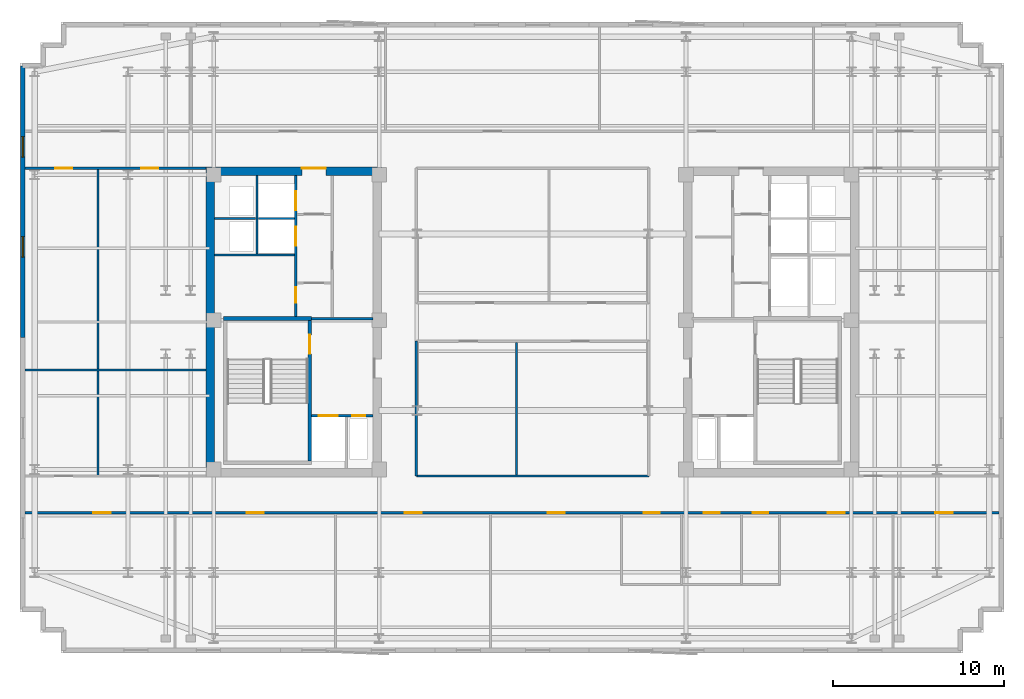
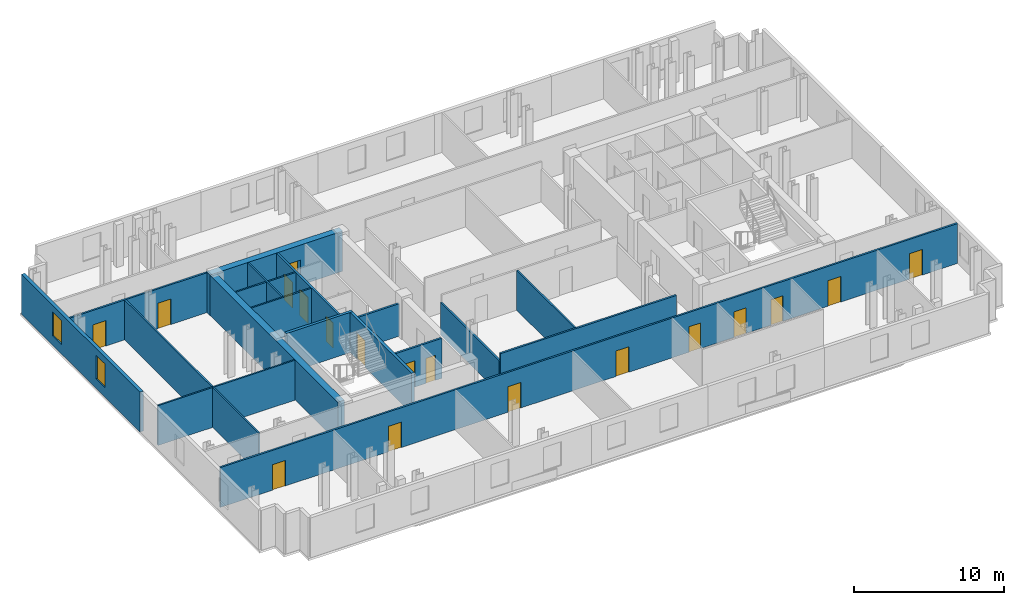
# One storey, part 4 of 9: 19 walls, 18 doors, 2 windows, 20 openings.
"""IFC4 building model written with IfcOpenShell, lengths in metres."""

import ifcopenshell
import ifcopenshell.guid

model = None  # the IFC model being written
_history = None  # IfcOwnerHistory: only IFC2X3 demands one
_inside = {}  # id of a spatial element -> (the spatial element, [elements in it])
_under = {}  # id of a project, library or spatial element -> (it, [spatial elements below it])
_declared = {}  # id of a project -> (the project, [libraries it declares])
_typed = {}  # id of a type object -> (the type object, [elements of that type])
_made_of = {}  # id of a material, layer set ... -> (it, [elements and type objects made of it])


def new_model(schema):
    """Start an empty IFC model of exactly this schema.

    Asked for "IFC4X3", IfcOpenShell would pick the latest addendum, in which some entities
    have other attributes; the version numbers below select the first issue.
    IFC2X3 requires an IfcOwnerHistory on every rooted entity: one is made here for all.
    """
    global model, _history
    if schema == "IFC4X3":
        model = ifcopenshell.file(schema_version=(4, 3, 0, 0))
    else:
        model = ifcopenshell.file(schema=schema)
    _inside.clear()
    _under.clear()
    _declared.clear()
    _typed.clear()
    _made_of.clear()
    _history = None
    if model.schema == "IFC2X3":
        org = make("IfcOrganization", Name="unknown")
        user = make(
            "IfcPersonAndOrganization",
            ThePerson=make("IfcPerson", FamilyName="unknown"),
            TheOrganization=org,
        )
        app = make(
            "IfcApplication",
            ApplicationDeveloper=org,
            Version="unknown",
            ApplicationFullName="unknown",
            ApplicationIdentifier="unknown",
        )
        _history = make(
            "IfcOwnerHistory",
            OwningUser=user,
            OwningApplication=app,
            ChangeAction="ADDED",
            CreationDate=0,
        )
    return model


def make(cls, **values):
    """One entity of the class cls with the attributes given. An attribute that is None is left unset."""
    return model.create_entity(
        cls, **{name: value for name, value in values.items() if value is not None}
    )


def rooted(cls, **values):
    """An entity with a GlobalId (a new one), such as an element, a storey or a relation."""
    return make(cls, GlobalId=ifcopenshell.guid.new(), OwnerHistory=_history, **values)


def si_unit(unit_type, name, prefix=None):
    """IfcSIUnit, for example si_unit("LENGTHUNIT", "METRE", prefix="MILLI")."""
    return make("IfcSIUnit", UnitType=unit_type, Prefix=prefix, Name=name)


def assignment(units):
    """IfcUnitAssignment: the units of a project."""
    return None if units is None else make("IfcUnitAssignment", Units=units)


def point(xyz):
    """IfcCartesianPoint."""
    return None if xyz is None else make("IfcCartesianPoint", Coordinates=xyz)


def direction(xyz):
    """IfcDirection."""
    return None if xyz is None else make("IfcDirection", DirectionRatios=xyz)


def frame(location, z_axis=None, x_axis=None):
    """IfcAxis2Placement3D, a coordinate frame: its origin and axes. An axis left out is left unset."""
    return make(
        "IfcAxis2Placement3D",
        Location=point(location),
        Axis=direction(z_axis),
        RefDirection=direction(x_axis),
    )


def frame_2d(location, x_axis=None):
    """IfcAxis2Placement2D, a coordinate frame in the plane: its origin and x axis."""
    return make(
        "IfcAxis2Placement2D", Location=point(location), RefDirection=direction(x_axis)
    )


def origin():
    """The frame at (0, 0, 0) with its axes left unset."""
    return frame((0.0, 0.0, 0.0))


def place(relative_to, where):
    """IfcLocalPlacement: puts the frame where relative to a parent placement (None: the world)."""
    return make(
        "IfcLocalPlacement", PlacementRelTo=relative_to, RelativePlacement=where
    )


def context(
    kind, dimensions, precision=None, world=None, true_north=None, identifier=None
):
    """IfcGeometricRepresentationContext, for example the 3D "Model" context."""
    return make(
        "IfcGeometricRepresentationContext",
        ContextIdentifier=identifier,
        ContextType=kind,
        CoordinateSpaceDimension=dimensions,
        Precision=precision,
        WorldCoordinateSystem=world,
        TrueNorth=true_north,
    )


def subcontext(parent, identifier, kind, view, scale=None):
    """IfcGeometricRepresentationSubContext, for example "Body" below "Model"."""
    return make(
        "IfcGeometricRepresentationSubContext",
        ContextIdentifier=identifier,
        ContextType=kind,
        ParentContext=parent,
        TargetScale=scale,
        TargetView=view,
    )


def project(units=None, contexts=None):
    """IfcProject with its units and contexts."""
    return rooted(
        "IfcProject",
        Name="project",
        RepresentationContexts=contexts,
        UnitsInContext=assignment(units),
    )


def spatial(cls, under=None, at=None, **own):
    """A site, building, storey or space (cls), placed at a placement, below another one or the project."""
    s = rooted(cls, ObjectPlacement=at, **own)
    if under is not None:
        _under.setdefault(under.id(), (under, []))[1].append(s)
    return s


def profile(cls, at=None, kind="AREA", **sizes):
    """A parametric profile (cls). Its sizes go by their IFC names, for example OverallWidth=200.0."""
    return make(cls, ProfileType=kind, Position=at, **sizes)


def rectangle(**sizes):
    """IfcRectangleProfileDef."""
    return profile("IfcRectangleProfileDef", **sizes)


def extrude(swept, where, along, depth):
    """IfcExtrudedAreaSolid: the profile swept, set in the frame where, extruded along a direction by depth."""
    return make(
        "IfcExtrudedAreaSolid",
        SweptArea=swept,
        Position=where,
        ExtrudedDirection=direction(along),
        Depth=depth,
    )


def shape(context_of_items, identifier, shape_type, items):
    """IfcShapeRepresentation: the items that make up one representation, for example the "Body"."""
    return make(
        "IfcShapeRepresentation",
        ContextOfItems=context_of_items,
        RepresentationIdentifier=identifier,
        RepresentationType=shape_type,
        Items=items,
    )


def material(Name=None, Category=None):
    """IfcMaterial."""
    return make("IfcMaterial", Name=Name, Category=Category)


def layer(
    of_material, thickness, ventilated=None, Name=None, Category=None, Priority=None
):
    """IfcMaterialLayer: one layer of a wall or slab, of a material (None: an air gap)."""
    return make(
        "IfcMaterialLayer",
        Material=of_material,
        LayerThickness=thickness,
        IsVentilated=ventilated,
        Name=Name,
        Category=Category,
        Priority=Priority,
    )


def layer_set(layers, Name=None):
    """IfcMaterialLayerSet."""
    return make("IfcMaterialLayerSet", MaterialLayers=layers, LayerSetName=Name)


def made_of(thing, what):
    """Note that an element or type object is made of a material, layer set ...; save() writes the relation."""
    if what is not None:
        _made_of.setdefault(what.id(), (what, []))[1].append(thing)
    return thing


def type_object(cls, material=None, **own):
    """A type object (cls), such as IfcWallType, which elements share."""
    return made_of(rooted(cls, **own), material)


def element(
    cls,
    number,
    at=None,
    inside=None,
    cuts=None,
    type_object=None,
    material=None,
    context=None,
    identifier="Body",
    shape_type=None,
    held_by="IfcProductDefinitionShape",
    body=None,
    shapes=None,
    **own,
):
    """One element of the class cls, such as IfcWall. Its Tag is "e" and its number.

    at: its placement. inside: the storey or other place that contains it. cuts: it is an
    opening in that element (IfcRelVoidsElement). A single representation is given by context,
    identifier, shape_type and body (its items); several are given by shapes. held_by: the class
    of the entity that holds the representations. save() writes the other relations.
    """
    e = rooted(cls, Tag="e%d" % number, ObjectPlacement=at, **own)
    if body is not None:
        shapes = [shape(context, identifier, shape_type, body)]
    if shapes is not None:
        e.Representation = make(held_by, Representations=shapes)
    if inside is not None:
        _inside.setdefault(inside.id(), (inside, []))[1].append(e)
    if cuts is not None:
        rooted(
            "IfcRelVoidsElement", RelatingBuildingElement=cuts, RelatedOpeningElement=e
        )
    if type_object is not None:
        _typed.setdefault(type_object.id(), (type_object, []))[1].append(e)
    return made_of(e, material)


def fill(opening, filler):
    """IfcRelFillsElement: the door or window that sits in an opening."""
    return rooted(
        "IfcRelFillsElement",
        RelatingOpeningElement=opening,
        RelatedBuildingElement=filler,
    )


def aggregate(whole, parts):
    """IfcRelAggregates: a whole, such as a stair, and the parts it consists of."""
    return rooted("IfcRelAggregates", RelatingObject=whole, RelatedObjects=parts)


def save(model, path):
    """Write the relations noted so far, then the file.

    IfcRelAggregates (storeys below a building ...), IfcRelContainedInSpatialStructure (elements
    in a storey), IfcRelDefinesByType, IfcRelAssociatesMaterial and IfcRelDeclares: one each for
    every whole, place, type object, material and project.
    """
    for whole, parts in _under.values():
        aggregate(whole, parts)
    for where, things in _inside.values():
        rooted(
            "IfcRelContainedInSpatialStructure",
            RelatedElements=things,
            RelatingStructure=where,
        )
    for kind, things in _typed.values():
        rooted("IfcRelDefinesByType", RelatedObjects=things, RelatingType=kind)
    for what, things in _made_of.values():
        rooted("IfcRelAssociatesMaterial", RelatedObjects=things, RelatingMaterial=what)
    for by, libraries in _declared.values():
        rooted("IfcRelDeclares", RelatingContext=by, RelatedDefinitions=libraries)
    model.write(path)


model = new_model("IFC4")

# Units and contexts
model_context = context("Model", 3, precision=1e-05, world=origin(), true_north=direction((0.0, 1.0)))
body_context = subcontext(model_context, "Body", "Model", "MODEL_VIEW")
ifc_project = project(units=[si_unit("LENGTHUNIT", "METRE"), si_unit("AREAUNIT", "SQUARE_METRE"), si_unit("VOLUMEUNIT", "CUBIC_METRE"), si_unit("PLANEANGLEUNIT", "RADIAN"), si_unit("MASSUNIT", "GRAM", prefix="KILO")], contexts=[model_context])

# Site, building, storey
site_placement = place(None, origin())
site = spatial("IfcSite", under=ifc_project, at=site_placement, CompositionType="ELEMENT")
building_placement = place(site_placement, origin())
building = spatial("IfcBuilding", under=site, at=building_placement, Name="Velakula Bourse", CompositionType="ELEMENT")
storey_placement = place(building_placement, frame((0.0, 0.0, 222.300048828125)))
storey = spatial("IfcBuildingStorey", under=building, at=storey_placement, Name="L60", CompositionType="ELEMENT", Elevation=222.300048828125)

# Wall, opening, door
ifc_material_1 = material(Name="Concrete M50 (fck 50 MPa)", Category="concrete")
ifc_layer_1 = layer(ifc_material_1, 0.2099609375, Name="Concrete M50 (fck 50 MPa)", Category="concrete")
ifc_layer_set_1 = layer_set([ifc_layer_1], Name="Concrete M50 (fck 50 MPa)")
wall_type_1 = type_object("IfcWallType", Name="WL-CORE-210", PredefinedType="SHEAR", material=ifc_layer_set_1)
wall_1_placement = place(storey_placement, frame((-12.9951171875, -8.10009765625, 0.0), z_axis=(0.0, 0.0, 1.0), x_axis=(0.0, 1.0, 0.0)))
wall_1 = element("IfcWall", 1, at=wall_1_placement, inside=storey, type_object=wall_type_1, Name="L60 Core W Stairwell Shear Wall IN", PredefinedType="SHEAR", context=body_context, shape_type="SweptSolid", body=[
    extrude(rectangle(XDim=8.2001953125, YDim=0.2099609375, at=frame_2d((4.10009765625, 0.0))), origin(), (0.0, 0.0, 1.0), 3.27001953125),
])
opening_1_placement = place(wall_1_placement, frame((6.25, 0.0, 0.0)))
opening_1 = element("IfcOpeningElement", 2, at=opening_1_placement, cuts=wall_1, Name="Opening D-STW1", PredefinedType="OPENING", context=body_context, shape_type="SweptSolid", body=[
    extrude(rectangle(XDim=1.10009765625, YDim=2.14990234375, at=frame_2d((0.550048828125, 1.074951171875))), frame((0.0, 0.114990234375, 0.0), z_axis=(0.0, -1.0, 0.0), x_axis=(1.0, 0.0, 0.0)), (0.0, 0.0, 1.0), 0.22998046875),
])
ifc_material_2 = material(Name="Galvanised painted hollow steel fire door", Category="steel")
door_type_1 = type_object("IfcDoorType", Name="DR-FD120-1100x2150", OperationType="NOTDEFINED", PredefinedType="DOOR", material=ifc_material_2)
door_1_placement = place(opening_1_placement, origin())
door_1 = element("IfcDoor", 3, at=door_1_placement, inside=storey, type_object=door_type_1, Name="L60 Stair ST-W1 Fire Door", OperationType="SINGLE_SWING_LEFT", OverallHeight=2.14990234375, OverallWidth=1.10009765625, PredefinedType="DOOR", context=body_context, shape_type="SweptSolid", body=[
    extrude(rectangle(XDim=1.10009765625, YDim=2.14990234375, at=frame_2d((0.550048828125, 1.074951171875))), frame((0.0, 0.02490234375, 0.0), z_axis=(0.0, -1.0, 0.0), x_axis=(1.0, 0.0, 0.0)), (0.0, 0.0, 1.0), 0.050048828125),
])
fill(opening_1, door_1)

# Wall
wall_2_placement = place(storey_placement, frame((-12.889892578125, 0.205078125, 0.0), z_axis=(0.0, 0.0, 1.0), x_axis=(-1.0, 0.0, 0.0)))
element("IfcWall", 4, at=wall_2_placement, inside=storey, type_object=wall_type_1, Name="L60 Core W Stairwell Shear Wall N", PredefinedType="SHEAR", context=body_context, shape_type="SweptSolid", body=[
    extrude(rectangle(XDim=5.14013671875, YDim=0.2099609375, at=frame_2d((2.570068359375, 0.0))), origin(), (0.0, 0.0, 1.0), 3.27001953125),
])

# Wall, opening, door
ifc_layer_2 = layer(ifc_material_1, 0.5, Name="Concrete M50 (fck 50 MPa)", Category="concrete")
ifc_layer_set_2 = layer_set([ifc_layer_2], Name="Concrete M50 (fck 50 MPa)")
wall_type_2 = type_object("IfcWallType", Name="WL-CORE-500", PredefinedType="SHEAR", material=ifc_layer_set_2)
wall_3_placement = place(storey_placement, frame((-19.050048828125, 8.800048828125, 0.0), z_axis=(0.0, 0.0, 1.0), x_axis=(1.0, 0.0, 0.0)))
wall_3 = element("IfcWall", 5, at=wall_3_placement, inside=storey, type_object=wall_type_2, Name="L60 Core W Shear Wall N", PredefinedType="SHEAR", context=body_context, shape_type="SweptSolid", body=[
    extrude(rectangle(XDim=10.25, YDim=0.5, at=frame_2d((5.125, 0.0))), origin(), (0.0, 0.0, 1.0), 3.27001953125),
])
opening_2_placement = place(wall_3_placement, frame((5.60009765625, 0.0, 0.0)))
opening_2 = element("IfcOpeningElement", 6, at=opening_2_placement, cuts=wall_3, Name="Opening D-LLW", PredefinedType="OPENING", context=body_context, shape_type="SweptSolid", body=[
    extrude(rectangle(XDim=1.39990234375, YDim=2.050048828125, at=frame_2d((0.699951171875, 1.02490234375))), frame((0.0, 0.260009765625, 0.0), z_axis=(0.0, -1.0, 0.0), x_axis=(1.0, 0.0, 0.0)), (0.0, 0.0, 1.0), 0.52001953125),
])
ifc_material_3 = material(Name="Fire-rated hardwood flush architectural door", Category="wood")
door_type_2 = type_object("IfcDoorType", Name="DR-DBL-FD60-1400", OperationType="DOUBLE_DOOR_SINGLE_SWING", PredefinedType="DOOR", material=ifc_material_3)
door_2_placement = place(opening_2_placement, origin())
door_2 = element("IfcDoor", 7, at=door_2_placement, inside=storey, type_object=door_type_2, Name="L60 Core W Lift Lobby Corridor Double Door", OperationType="DOUBLE_DOOR_SINGLE_SWING", OverallHeight=2.050048828125, OverallWidth=1.39990234375, PredefinedType="DOOR", context=body_context, shape_type="SweptSolid", body=[
    extrude(rectangle(XDim=1.39990234375, YDim=2.050048828125, at=frame_2d((0.699951171875, 1.02490234375))), frame((0.0, 0.19482421875, 0.0), z_axis=(0.0, -1.0, 0.0), x_axis=(1.0, 0.0, 0.0)), (0.0, 0.0, 1.0), 0.050048828125),
])
fill(opening_2, door_2)

# Wall
wall_4_placement = place(storey_placement, frame((-18.800048828125, -8.550048828125, 0.0), z_axis=(0.0, 0.0, 1.0), x_axis=(0.0, 1.0, 0.0)))
element("IfcWall", 8, at=wall_4_placement, inside=storey, type_object=wall_type_2, Name="L60 Core W Shear Wall W", PredefinedType="SHEAR", context=body_context, shape_type="SweptSolid", body=[
    extrude(rectangle(XDim=17.10009765625, YDim=0.5, at=frame_2d((8.550048828125, 0.0))), origin(), (0.0, 0.0, 1.0), 3.27001953125),
])

# Wall, openings, windows
ifc_material_4 = material(Name="Buff kilned clay facing brick masonry", Category="masonry")
ifc_layer_3 = layer(ifc_material_4, 0.260009765625, Name="Buff kilned clay facing brick masonry", Category="masonry")
ifc_layer_set_3 = layer_set([ifc_layer_3], Name="Buff kilned clay facing brick masonry")
wall_type_3 = type_object("IfcWallType", Name="WL-EXT-BRK-260", PredefinedType="STANDARD", material=ifc_layer_set_3)
wall_5_placement = place(storey_placement, frame((-29.75, -0.89990234375, 0.0), z_axis=(0.0, 0.0, 1.0), x_axis=(0.0, 1.0, 0.0)))
wall_5 = element("IfcWall", 9, at=wall_5_placement, inside=storey, type_object=wall_type_3, Name="L60 W Brick End Wall W2", PredefinedType="STANDARD", context=body_context, shape_type="SweptSolid", body=[
    extrude(rectangle(XDim=15.849853515625, YDim=0.260009765625, at=frame_2d((7.9248046875, 0.0))), origin(), (0.0, 0.0, 1.0), 3.25),
])
opening_3_placement = place(wall_5_placement, frame((4.683349609375, 0.0, 0.760009765625)))
opening_3 = element("IfcOpeningElement", 10, at=opening_3_placement, cuts=wall_5, Name="Opening W-04", PredefinedType="OPENING", context=body_context, shape_type="SweptSolid", body=[
    extrude(rectangle(XDim=1.199951171875, YDim=1.949951171875, at=frame_2d((0.60009765625, 0.97509765625))), frame((0.0, 0.139892578125, 0.0), z_axis=(0.0, -1.0, 0.0), x_axis=(1.0, 0.0, 0.0)), (0.0, 0.0, 1.0), 0.280029296875),
])
opening_4_placement = place(wall_5_placement, frame((10.5166015625, 0.0, 0.760009765625)))
opening_4 = element("IfcOpeningElement", 11, at=opening_4_placement, cuts=wall_5, Name="Opening W-04", PredefinedType="OPENING", context=body_context, shape_type="SweptSolid", body=[
    extrude(rectangle(XDim=1.199951171875, YDim=1.949951171875, at=frame_2d((0.60009765625, 0.97509765625))), frame((0.0, 0.139892578125, 0.0), z_axis=(0.0, -1.0, 0.0), x_axis=(1.0, 0.0, 0.0)), (0.0, 0.0, 1.0), 0.280029296875),
])
ifc_material_5 = material(Name="Double-glazed solar-control Low-E glass", Category="glass")
window_type = type_object("IfcWindowType", Name="WIN-TWR-1200x2100", PartitioningType="SINGLE_PANEL", PredefinedType="WINDOW", material=ifc_material_5)
window_1_placement = place(opening_3_placement, origin())
window_1 = element("IfcWindow", 12, at=window_1_placement, inside=storey, type_object=window_type, Name="L60 Deep-Set Recessed Window 1", OverallHeight=1.949951171875, OverallWidth=1.199951171875, PartitioningType="SINGLE_PANEL", PredefinedType="WINDOW", context=body_context, shape_type="SweptSolid", body=[
    extrude(rectangle(XDim=1.199951171875, YDim=1.949951171875, at=frame_2d((0.60009765625, 0.97509765625))), frame((0.0, 0.030029296875, 0.0), z_axis=(0.0, -1.0, 0.0), x_axis=(1.0, 0.0, 0.0)), (0.0, 0.0, 1.0), 0.06005859375),
])
fill(opening_3, window_1)
window_2_placement = place(opening_4_placement, origin())
window_2 = element("IfcWindow", 13, at=window_2_placement, inside=storey, type_object=window_type, Name="L60 Deep-Set Recessed Window 2", OverallHeight=1.949951171875, OverallWidth=1.199951171875, PartitioningType="SINGLE_PANEL", PredefinedType="WINDOW", context=body_context, shape_type="SweptSolid", body=[
    extrude(rectangle(XDim=1.199951171875, YDim=1.949951171875, at=frame_2d((0.60009765625, 0.97509765625))), frame((0.0, 0.030029296875, 0.0), z_axis=(0.0, -1.0, 0.0), x_axis=(1.0, 0.0, 0.0)), (0.0, 0.0, 1.0), 0.06005859375),
])
fill(opening_4, window_2)

# Walls
ifc_material_6 = material(Name="Fire-rated double-layer gypsum drywall partition", Category="gypsum")
ifc_layer_4 = layer(ifc_material_6, 0.1201171875, Name="Fire-rated double-layer gypsum drywall partition", Category="gypsum")
ifc_layer_set_4 = layer_set([ifc_layer_4], Name="Fire-rated double-layer gypsum drywall partition")
wall_type_4 = type_object("IfcWallType", Name="WL-PART-120", PredefinedType="STANDARD", material=ifc_layer_set_4)
wall_6_placement = place(storey_placement, frame((-18.550048828125, 3.919921875, 0.0), z_axis=(0.0, 0.0, 1.0), x_axis=(1.0, 0.0, 0.0)))
element("IfcWall", 14, at=wall_6_placement, inside=storey, type_object=wall_type_4, Name="L60 Interior Partition WL-CRW-L60-HI-S", PredefinedType="STANDARD", context=body_context, shape_type="SweptSolid", body=[
    extrude(rectangle(XDim=4.650146484375, YDim=0.1201171875, at=frame_2d((2.3251953125, 0.0))), origin(), (0.0, 0.0, 1.0), 3.25),
])
wall_7_placement = place(storey_placement, frame((-18.550048828125, 6.030029296875, 0.0), z_axis=(0.0, 0.0, 1.0), x_axis=(1.0, 0.0, 0.0)))
element("IfcWall", 15, at=wall_7_placement, inside=storey, type_object=wall_type_4, Name="L60 Interior Partition WL-CRW-L60-RIS-MID", PredefinedType="STANDARD", context=body_context, shape_type="SweptSolid", body=[
    extrude(rectangle(XDim=2.400146484375, YDim=0.1201171875, at=frame_2d((1.2001953125, 0.0))), origin(), (0.0, 0.0, 1.0), 3.25),
])
wall_8_placement = place(storey_placement, frame((-16.074951171875, 3.97998046875, 0.0), z_axis=(0.0, 0.0, 1.0), x_axis=(0.0, 1.0, 0.0)))
element("IfcWall", 16, at=wall_8_placement, inside=storey, type_object=wall_type_4, Name="L60 Interior Partition WL-CRW-L60-RIS-F", PredefinedType="STANDARD", context=body_context, shape_type="SweptSolid", body=[
    extrude(rectangle(XDim=4.570068359375, YDim=0.1201171875, at=frame_2d((2.28515625, 0.0))), origin(), (0.0, 0.0, 1.0), 3.25),
])
wall_9_placement = place(storey_placement, frame((-16.0, 6.030029296875, 0.0), z_axis=(0.0, 0.0, 1.0), x_axis=(1.0, 0.0, 0.0)))
element("IfcWall", 17, at=wall_9_placement, inside=storey, type_object=wall_type_4, Name="L60 Interior Partition WL-CRW-L60-HI-DIV", PredefinedType="STANDARD", context=body_context, shape_type="SweptSolid", body=[
    extrude(rectangle(XDim=2.10009765625, YDim=0.1201171875, at=frame_2d((1.050048828125, 0.0))), origin(), (0.0, 0.0, 1.0), 3.25),
])
wall_10_placement = place(storey_placement, frame((-29.6201171875, -2.800048828125, 0.0), z_axis=(0.0, 0.0, 1.0), x_axis=(1.0, 0.0, 0.0)))
element("IfcWall", 18, at=wall_10_placement, inside=storey, type_object=wall_type_4, Name="L60 Interior Partition WL-INT-L60-W-H", PredefinedType="STANDARD", context=body_context, shape_type="SweptSolid", body=[
    extrude(rectangle(XDim=10.570068359375, YDim=0.1201171875, at=frame_2d((5.28515625, 0.0))), origin(), (0.0, 0.0, 1.0), 3.25),
])
wall_11_placement = place(storey_placement, frame((-25.35498046875, -8.97998046875, 0.0), z_axis=(0.0, 0.0, 1.0), x_axis=(0.0, 1.0, 0.0)))
element("IfcWall", 19, at=wall_11_placement, inside=storey, type_object=wall_type_4, Name="L60 Interior Partition WL-INT-L60-W-V1", PredefinedType="STANDARD", context=body_context, shape_type="SweptSolid", body=[
    extrude(rectangle(XDim=17.9599609375, YDim=0.1201171875, at=frame_2d((8.97998046875, 0.0))), origin(), (0.0, 0.0, 1.0), 3.25),
])

# Wall, openings, doors
ifc_layer_5 = layer(ifc_material_6, 0.139892578125, Name="Fire-rated double-layer gypsum drywall partition", Category="gypsum")
ifc_layer_set_5 = layer_set([ifc_layer_5], Name="Fire-rated double-layer gypsum drywall partition")
wall_type_5 = type_object("IfcWallType", Name="WL-PART-140", PredefinedType="STANDARD", material=ifc_layer_set_5)
wall_12_placement = place(storey_placement, frame((-29.6201171875, -11.1201171875, 0.0), z_axis=(0.0, 0.0, 1.0), x_axis=(1.0, 0.0, 0.0)))
wall_12 = element("IfcWall", 20, at=wall_12_placement, inside=storey, type_object=wall_type_5, Name="L60 Interior Partition WL-INT-L60-S-CORR", PredefinedType="STANDARD", context=body_context, shape_type="SweptSolid", body=[
    extrude(rectangle(XDim=56.840087890625, YDim=0.139892578125, at=frame_2d((28.419921875, 0.0))), origin(), (0.0, 0.0, 1.0), 3.25),
])
opening_5_placement = place(wall_12_placement, frame((36.110107421875, 0.0, 0.0)))
opening_5 = element("IfcOpeningElement", 21, at=opening_5_placement, cuts=wall_12, Name="Opening D-WT1", PredefinedType="OPENING", context=body_context, shape_type="SweptSolid", body=[
    extrude(rectangle(XDim=0.919921875, YDim=2.080078125, at=frame_2d((0.4599609375, 1.0400390625))), frame((0.0, 0.079833984375, 0.0), z_axis=(0.0, -1.0, 0.0), x_axis=(1.0, 0.0, 0.0)), (0.0, 0.0, 1.0), 0.159912109375),
])
opening_6_placement = place(wall_12_placement, frame((39.610107421875, 0.0, 0.0)))
opening_6 = element("IfcOpeningElement", 22, at=opening_6_placement, cuts=wall_12, Name="Opening D-WT1", PredefinedType="OPENING", context=body_context, shape_type="SweptSolid", body=[
    extrude(rectangle(XDim=0.919921875, YDim=2.080078125, at=frame_2d((0.4599609375, 1.0400390625))), frame((0.0, 0.079833984375, 0.0), z_axis=(0.0, -1.0, 0.0), x_axis=(1.0, 0.0, 0.0)), (0.0, 0.0, 1.0), 0.159912109375),
])
opening_7_placement = place(wall_12_placement, frame((42.4599609375, 0.0, 0.0)))
opening_7 = element("IfcOpeningElement", 23, at=opening_7_placement, cuts=wall_12, Name="Opening D-WC1", PredefinedType="OPENING", context=body_context, shape_type="SweptSolid", body=[
    extrude(rectangle(XDim=0.919921875, YDim=2.080078125, at=frame_2d((0.4599609375, 1.0400390625))), frame((0.0, 0.079833984375, 0.0), z_axis=(0.0, -1.0, 0.0), x_axis=(1.0, 0.0, 0.0)), (0.0, 0.0, 1.0), 0.159912109375),
])
opening_8_placement = place(wall_12_placement, frame((4.0009765625, 0.0, 0.0)))
opening_8 = element("IfcOpeningElement", 24, at=opening_8_placement, cuts=wall_12, Name="Opening D-OF1", PredefinedType="OPENING", context=body_context, shape_type="SweptSolid", body=[
    extrude(rectangle(XDim=1.0, YDim=2.080078125, at=frame_2d((0.5, 1.0400390625))), frame((0.0, 0.079833984375, 0.0), z_axis=(0.0, -1.0, 0.0), x_axis=(1.0, 0.0, 0.0)), (0.0, 0.0, 1.0), 0.159912109375),
])
opening_9_placement = place(wall_12_placement, frame((12.9423828125, 0.0, 0.0)))
opening_9 = element("IfcOpeningElement", 25, at=opening_9_placement, cuts=wall_12, Name="Opening D-OF1", PredefinedType="OPENING", context=body_context, shape_type="SweptSolid", body=[
    extrude(rectangle(XDim=1.0, YDim=2.080078125, at=frame_2d((0.5, 1.0400390625))), frame((0.0, 0.079833984375, 0.0), z_axis=(0.0, -1.0, 0.0), x_axis=(1.0, 0.0, 0.0)), (0.0, 0.0, 1.0), 0.159912109375),
])
opening_10_placement = place(wall_12_placement, frame((22.154052734375, 0.0, 0.0)))
opening_10 = element("IfcOpeningElement", 26, at=opening_10_placement, cuts=wall_12, Name="Opening D-OF1", PredefinedType="OPENING", context=body_context, shape_type="SweptSolid", body=[
    extrude(rectangle(XDim=1.0, YDim=2.080078125, at=frame_2d((0.5, 1.0400390625))), frame((0.0, 0.079833984375, 0.0), z_axis=(0.0, -1.0, 0.0), x_axis=(1.0, 0.0, 0.0)), (0.0, 0.0, 1.0), 0.159912109375),
])
opening_11_placement = place(wall_12_placement, frame((30.49658203125, 0.0, 0.0)))
opening_11 = element("IfcOpeningElement", 27, at=opening_11_placement, cuts=wall_12, Name="Opening D-OF1", PredefinedType="OPENING", context=body_context, shape_type="SweptSolid", body=[
    extrude(rectangle(XDim=1.0, YDim=2.080078125, at=frame_2d((0.5, 1.0400390625))), frame((0.0, 0.079833984375, 0.0), z_axis=(0.0, -1.0, 0.0), x_axis=(1.0, 0.0, 0.0)), (0.0, 0.0, 1.0), 0.159912109375),
])
opening_12_placement = place(wall_12_placement, frame((46.83740234375, 0.0, 0.0)))
opening_12 = element("IfcOpeningElement", 28, at=opening_12_placement, cuts=wall_12, Name="Opening D-OF1", PredefinedType="OPENING", context=body_context, shape_type="SweptSolid", body=[
    extrude(rectangle(XDim=1.0, YDim=2.080078125, at=frame_2d((0.5, 1.0400390625))), frame((0.0, 0.079833984375, 0.0), z_axis=(0.0, -1.0, 0.0), x_axis=(1.0, 0.0, 0.0)), (0.0, 0.0, 1.0), 0.159912109375),
])
opening_13_placement = place(wall_12_placement, frame((53.12158203125, 0.0, 0.0)))
opening_13 = element("IfcOpeningElement", 29, at=opening_13_placement, cuts=wall_12, Name="Opening D-OF1", PredefinedType="OPENING", context=body_context, shape_type="SweptSolid", body=[
    extrude(rectangle(XDim=1.0, YDim=2.080078125, at=frame_2d((0.5, 1.0400390625))), frame((0.0, 0.079833984375, 0.0), z_axis=(0.0, -1.0, 0.0), x_axis=(1.0, 0.0, 0.0)), (0.0, 0.0, 1.0), 0.159912109375),
])
door_type_3 = type_object("IfcDoorType", Name="DR-OFF-1000", OperationType="NOTDEFINED", PredefinedType="DOOR", material=ifc_material_3)
door_3_placement = place(opening_8_placement, origin())
door_3 = element("IfcDoor", 30, at=door_3_placement, inside=storey, type_object=door_type_3, Name="L60 Traders Bistro Restaurant Door", OperationType="SINGLE_SWING_LEFT", OverallHeight=2.080078125, OverallWidth=1.0, PredefinedType="DOOR", context=body_context, shape_type="SweptSolid", body=[
    extrude(rectangle(XDim=1.0, YDim=2.080078125, at=frame_2d((0.5, 1.0400390625))), frame((0.0, 0.02490234375, 0.0), z_axis=(0.0, -1.0, 0.0), x_axis=(1.0, 0.0, 0.0)), (0.0, 0.0, 1.0), 0.050048828125),
])
fill(opening_8, door_3)
door_4_placement = place(opening_9_placement, origin())
door_4 = element("IfcDoor", 31, at=door_4_placement, inside=storey, type_object=door_type_3, Name="L60 Margin Control Office Door", OperationType="SINGLE_SWING_RIGHT", OverallHeight=2.080078125, OverallWidth=1.0, PredefinedType="DOOR", context=body_context, shape_type="SweptSolid", body=[
    extrude(rectangle(XDim=1.0, YDim=2.080078125, at=frame_2d((0.5, 1.0400390625))), frame((0.0, 0.02490234375, 0.0), z_axis=(0.0, -1.0, 0.0), x_axis=(1.0, 0.0, 0.0)), (0.0, 0.0, 1.0), 0.050048828125),
])
fill(opening_9, door_4)
door_5_placement = place(opening_10_placement, origin())
door_5 = element("IfcDoor", 32, at=door_5_placement, inside=storey, type_object=door_type_3, Name="L60 Clearing Committee Room Door", OperationType="SINGLE_SWING_LEFT", OverallHeight=2.080078125, OverallWidth=1.0, PredefinedType="DOOR", context=body_context, shape_type="SweptSolid", body=[
    extrude(rectangle(XDim=1.0, YDim=2.080078125, at=frame_2d((0.5, 1.0400390625))), frame((0.0, 0.02490234375, 0.0), z_axis=(0.0, -1.0, 0.0), x_axis=(1.0, 0.0, 0.0)), (0.0, 0.0, 1.0), 0.050048828125),
])
fill(opening_10, door_5)
door_6_placement = place(opening_11_placement, origin())
door_6 = element("IfcDoor", 33, at=door_6_placement, inside=storey, type_object=door_type_3, Name="L60 Tea Room Kitchenette Door", OperationType="SINGLE_SWING_RIGHT", OverallHeight=2.080078125, OverallWidth=1.0, PredefinedType="DOOR", context=body_context, shape_type="SweptSolid", body=[
    extrude(rectangle(XDim=1.0, YDim=2.080078125, at=frame_2d((0.5, 1.0400390625))), frame((0.0, 0.02490234375, 0.0), z_axis=(0.0, -1.0, 0.0), x_axis=(1.0, 0.0, 0.0)), (0.0, 0.0, 1.0), 0.050048828125),
])
fill(opening_11, door_6)
door_7_placement = place(opening_12_placement, origin())
door_7 = element("IfcDoor", 34, at=door_7_placement, inside=storey, type_object=door_type_3, Name="L60 Market Data Feed Workspace Door", OperationType="SINGLE_SWING_LEFT", OverallHeight=2.080078125, OverallWidth=1.0, PredefinedType="DOOR", context=body_context, shape_type="SweptSolid", body=[
    extrude(rectangle(XDim=1.0, YDim=2.080078125, at=frame_2d((0.5, 1.0400390625))), frame((0.0, 0.02490234375, 0.0), z_axis=(0.0, -1.0, 0.0), x_axis=(1.0, 0.0, 0.0)), (0.0, 0.0, 1.0), 0.050048828125),
])
fill(opening_12, door_7)
door_8_placement = place(opening_13_placement, origin())
door_8 = element("IfcDoor", 35, at=door_8_placement, inside=storey, type_object=door_type_3, Name="L60 Bullion Assay Office Door", OperationType="SINGLE_SWING_RIGHT", OverallHeight=2.080078125, OverallWidth=1.0, PredefinedType="DOOR", context=body_context, shape_type="SweptSolid", body=[
    extrude(rectangle(XDim=1.0, YDim=2.080078125, at=frame_2d((0.5, 1.0400390625))), frame((0.0, 0.02490234375, 0.0), z_axis=(0.0, -1.0, 0.0), x_axis=(1.0, 0.0, 0.0)), (0.0, 0.0, 1.0), 0.050048828125),
])
fill(opening_13, door_8)
door_type_4 = type_object("IfcDoorType", Name="DR-WC-950", OperationType="NOTDEFINED", PredefinedType="DOOR", material=ifc_material_3)
door_9_placement = place(opening_5_placement, origin())
door_9 = element("IfcDoor", 36, at=door_9_placement, inside=storey, type_object=door_type_4, Name="L60 Male Staff Toilet Door", OperationType="SINGLE_SWING_RIGHT", OverallHeight=2.080078125, OverallWidth=0.919921875, PredefinedType="DOOR", context=body_context, shape_type="SweptSolid", body=[
    extrude(rectangle(XDim=0.919921875, YDim=2.080078125, at=frame_2d((0.4599609375, 1.0400390625))), frame((0.0, 0.02490234375, 0.0), z_axis=(0.0, -1.0, 0.0), x_axis=(1.0, 0.0, 0.0)), (0.0, 0.0, 1.0), 0.050048828125),
])
fill(opening_5, door_9)
door_10_placement = place(opening_6_placement, origin())
door_10 = element("IfcDoor", 37, at=door_10_placement, inside=storey, type_object=door_type_4, Name="L60 Female Staff Toilet Door", OperationType="SINGLE_SWING_LEFT", OverallHeight=2.080078125, OverallWidth=0.919921875, PredefinedType="DOOR", context=body_context, shape_type="SweptSolid", body=[
    extrude(rectangle(XDim=0.919921875, YDim=2.080078125, at=frame_2d((0.4599609375, 1.0400390625))), frame((0.0, 0.02490234375, 0.0), z_axis=(0.0, -1.0, 0.0), x_axis=(1.0, 0.0, 0.0)), (0.0, 0.0, 1.0), 0.050048828125),
])
fill(opening_6, door_10)
door_11_placement = place(opening_7_placement, origin())
door_11 = element("IfcDoor", 38, at=door_11_placement, inside=storey, type_object=door_type_4, Name="L60 Accessible WC Door", OperationType="SINGLE_SWING_RIGHT", OverallHeight=2.080078125, OverallWidth=0.919921875, PredefinedType="DOOR", context=body_context, shape_type="SweptSolid", body=[
    extrude(rectangle(XDim=0.919921875, YDim=2.080078125, at=frame_2d((0.4599609375, 1.0400390625))), frame((0.0, 0.02490234375, 0.0), z_axis=(0.0, -1.0, 0.0), x_axis=(1.0, 0.0, 0.0)), (0.0, 0.0, 1.0), 0.050048828125),
])
fill(opening_7, door_11)

wall_13_placement = place(storey_placement, frame((-29.6201171875, 8.97998046875, 0.0), z_axis=(0.0, 0.0, 1.0), x_axis=(1.0, 0.0, 0.0)))
wall_13 = element("IfcWall", 39, at=wall_13_placement, inside=storey, type_object=wall_type_5, Name="L60 Interior Partition WL-INT-L60-W-NC", PredefinedType="STANDARD", context=body_context, shape_type="SweptSolid", body=[
    extrude(rectangle(XDim=10.570068359375, YDim=0.139892578125, at=frame_2d((5.28515625, 0.0))), origin(), (0.0, 0.0, 1.0), 3.25),
])
opening_14_placement = place(wall_13_placement, frame((1.762451171875, 0.0, 0.0)))
opening_14 = element("IfcOpeningElement", 40, at=opening_14_placement, cuts=wall_13, Name="Opening D-OF1", PredefinedType="OPENING", context=body_context, shape_type="SweptSolid", body=[
    extrude(rectangle(XDim=1.0, YDim=2.080078125, at=frame_2d((0.5, 1.0400390625))), frame((0.0, 0.079833984375, 0.0), z_axis=(0.0, -1.0, 0.0), x_axis=(1.0, 0.0, 0.0)), (0.0, 0.0, 1.0), 0.159912109375),
])
opening_15_placement = place(wall_13_placement, frame((6.78759765625, 0.0, 0.0)))
opening_15 = element("IfcOpeningElement", 41, at=opening_15_placement, cuts=wall_13, Name="Opening D-OF1", PredefinedType="OPENING", context=body_context, shape_type="SweptSolid", body=[
    extrude(rectangle(XDim=1.0, YDim=2.080078125, at=frame_2d((0.5, 1.0400390625))), frame((0.0, 0.079833984375, 0.0), z_axis=(0.0, -1.0, 0.0), x_axis=(1.0, 0.0, 0.0)), (0.0, 0.0, 1.0), 0.159912109375),
])
door_12_placement = place(opening_14_placement, origin())
door_12 = element("IfcDoor", 42, at=door_12_placement, inside=storey, type_object=door_type_3, Name="L60 Bullion Assay Office Door", OperationType="SINGLE_SWING_LEFT", OverallHeight=2.080078125, OverallWidth=1.0, PredefinedType="DOOR", context=body_context, shape_type="SweptSolid", body=[
    extrude(rectangle(XDim=1.0, YDim=2.080078125, at=frame_2d((0.5, 1.0400390625))), frame((0.0, 0.02490234375, 0.0), z_axis=(0.0, -1.0, 0.0), x_axis=(1.0, 0.0, 0.0)), (0.0, 0.0, 1.0), 0.050048828125),
])
fill(opening_14, door_12)
door_13_placement = place(opening_15_placement, origin())
door_13 = element("IfcDoor", 43, at=door_13_placement, inside=storey, type_object=door_type_3, Name="L60 Executive Boardroom Door", OperationType="SINGLE_SWING_RIGHT", OverallHeight=2.080078125, OverallWidth=1.0, PredefinedType="DOOR", context=body_context, shape_type="SweptSolid", body=[
    extrude(rectangle(XDim=1.0, YDim=2.080078125, at=frame_2d((0.5, 1.0400390625))), frame((0.0, 0.02490234375, 0.0), z_axis=(0.0, -1.0, 0.0), x_axis=(1.0, 0.0, 0.0)), (0.0, 0.0, 1.0), 0.050048828125),
])
fill(opening_15, door_13)

# Walls
wall_14_placement = place(storey_placement, frame((-6.780029296875, -8.97998046875, 0.0), z_axis=(0.0, 0.0, 1.0), x_axis=(1.0, 0.0, 0.0)))
element("IfcWall", 44, at=wall_14_placement, inside=storey, type_object=wall_type_5, Name="L60 Interior Partition WL-INT-L60-MS-OUT", PredefinedType="STANDARD", context=body_context, shape_type="SweptSolid", body=[
    extrude(rectangle(XDim=13.56005859375, YDim=0.139892578125, at=frame_2d((6.780029296875, 0.0))), origin(), (0.0, 0.0, 1.0), 3.25),
])
wall_15_placement = place(storey_placement, frame((-6.780029296875, -8.97998046875, 0.0), z_axis=(0.0, 0.0, 1.0), x_axis=(0.0, 1.0, 0.0)))
element("IfcWall", 45, at=wall_15_placement, inside=storey, type_object=wall_type_5, Name="L60 Interior Partition WL-INT-L60-MS-W", PredefinedType="STANDARD", context=body_context, shape_type="SweptSolid", body=[
    extrude(rectangle(XDim=7.85986328125, YDim=0.139892578125, at=frame_2d((3.929931640625, 0.0))), origin(), (0.0, 0.0, 1.0), 2.64501953125),
])
wall_16_placement = place(storey_placement, frame((-0.949951171875, -8.909912109375, 0.0), z_axis=(0.0, 0.0, 1.0), x_axis=(0.0, 1.0, 0.0)))
element("IfcWall", 46, at=wall_16_placement, inside=storey, type_object=wall_type_5, Name="L60 Interior Partition WL-INT-L60-MS-V1", PredefinedType="STANDARD", context=body_context, shape_type="SweptSolid", body=[
    extrude(rectangle(XDim=7.719970703125, YDim=0.1201171875, at=frame_2d((3.85986328125, 0.0))), origin(), (0.0, 0.0, 1.0), 3.25),
])

# Wall, openings, doors
ifc_material_7 = material(Name="Autoclaved aerated concrete blockwork masonry", Category="masonry")
ifc_layer_6 = layer(ifc_material_7, 0.14990234375, Name="Autoclaved aerated concrete blockwork masonry", Category="masonry")
ifc_layer_set_6 = layer_set([ifc_layer_6], Name="Autoclaved aerated concrete blockwork masonry")
wall_type_6 = type_object("IfcWallType", Name="WL-SHAFT-150", PredefinedType="STANDARD", material=ifc_layer_set_6)
wall_17_placement = place(storey_placement, frame((-12.89501953125, -5.47509765625, 0.0), z_axis=(0.0, 0.0, 1.0), x_axis=(1.0, 0.0, 0.0)))
wall_17 = element("IfcWall", 47, at=wall_17_placement, inside=storey, type_object=wall_type_6, Name="L60 Interior Partition WL-CRW-L60-FFL-N", PredefinedType="STANDARD", context=body_context, shape_type="SweptSolid", body=[
    extrude(rectangle(XDim=3.594970703125, YDim=0.14990234375, at=frame_2d((1.79736328125, 0.0))), origin(), (0.0, 0.0, 1.0), 3.25),
])
opening_16_placement = place(wall_17_placement, frame((0.419921875, 0.0, 0.0)))
opening_16 = element("IfcOpeningElement", 48, at=opening_16_placement, cuts=wall_17, Name="Opening LD-FFL-1", PredefinedType="OPENING", context=body_context, shape_type="SweptSolid", body=[
    extrude(rectangle(XDim=1.10009765625, YDim=2.14990234375, at=frame_2d((0.550048828125, 1.074951171875))), frame((0.0, 0.0849609375, 0.0), z_axis=(0.0, -1.0, 0.0), x_axis=(1.0, 0.0, 0.0)), (0.0, 0.0, 1.0), 0.169921875),
])
opening_17_placement = place(wall_17_placement, frame((2.3701171875, 0.0, 0.0)))
opening_17 = element("IfcOpeningElement", 49, at=opening_17_placement, cuts=wall_17, Name="Opening D-RS1", PredefinedType="OPENING", context=body_context, shape_type="SweptSolid", body=[
    extrude(rectangle(XDim=0.75, YDim=2.050048828125, at=frame_2d((0.375, 1.02490234375))), frame((0.0, 0.0849609375, 0.0), z_axis=(0.0, -1.0, 0.0), x_axis=(1.0, 0.0, 0.0)), (0.0, 0.0, 1.0), 0.169921875),
])
door_type_5 = type_object("IfcDoorType", Name="DR-RISER-800", OperationType="NOTDEFINED", PredefinedType="DOOR", material=ifc_material_2)
door_14_placement = place(opening_17_placement, origin())
door_14 = element("IfcDoor", 50, at=door_14_placement, inside=storey, type_object=door_type_5, Name="L60 Fire Riser Access Door", OperationType="SINGLE_SWING_LEFT", OverallHeight=2.050048828125, OverallWidth=0.75, PredefinedType="DOOR", context=body_context, shape_type="SweptSolid", body=[
    extrude(rectangle(XDim=0.75, YDim=2.050048828125, at=frame_2d((0.375, 1.02490234375))), frame((0.0, 0.02490234375, 0.0), z_axis=(0.0, -1.0, 0.0), x_axis=(1.0, 0.0, 0.0)), (0.0, 0.0, 1.0), 0.050048828125),
])
fill(opening_17, door_14)
ifc_material_8 = material(Name="Brushed grade 316 stainless steel", Category="steel")
door_type_6 = type_object("IfcDoorType", Name="DR-SLIDE-FFL-1100", OperationType="DOUBLE_DOOR_SLIDING", PredefinedType="DOOR", material=ifc_material_8)
door_15_placement = place(opening_16_placement, origin())
door_15 = element("IfcDoor", 51, at=door_15_placement, inside=storey, type_object=door_type_6, Name="L60 Firefighting Lift FFL-1 Sliding Landing Door", OperationType="DOUBLE_DOOR_SLIDING", OverallHeight=2.14990234375, OverallWidth=1.10009765625, PredefinedType="DOOR", context=body_context, shape_type="SweptSolid", body=[
    extrude(rectangle(XDim=1.10009765625, YDim=2.14990234375, at=frame_2d((0.550048828125, 1.074951171875))), frame((0.0, 0.02490234375, 0.0), z_axis=(0.0, -1.0, 0.0), x_axis=(1.0, 0.0, 0.0)), (0.0, 0.0, 1.0), 0.050048828125),
])
fill(opening_16, door_15)

# Wall
wall_18_placement = place(storey_placement, frame((-12.889892578125, 0.18994140625, 0.0), z_axis=(0.0, 0.0, 1.0), x_axis=(1.0, 0.0, 0.0)))
element("IfcWall", 52, at=wall_18_placement, inside=storey, type_object=wall_type_6, Name="L60 Interior Partition WL-CRW-L60-FF-TOP", PredefinedType="STANDARD", context=body_context, shape_type="SweptSolid", body=[
    extrude(rectangle(XDim=3.58984375, YDim=0.14990234375, at=frame_2d((1.794921875, 0.0))), origin(), (0.0, 0.0, 1.0), 2.64501953125),
])

# Wall, openings, doors
wall_19_placement = place(storey_placement, frame((-13.824951171875, 0.27001953125, 0.0), z_axis=(0.0, 0.0, 1.0), x_axis=(0.0, 1.0, 0.0)))
wall_19 = element("IfcWall", 53, at=wall_19_placement, inside=storey, type_object=wall_type_6, Name="L60 Interior Partition WL-CRW-L60-OUT-F", PredefinedType="STANDARD", context=body_context, shape_type="SweptSolid", body=[
    extrude(rectangle(XDim=8.280029296875, YDim=0.14990234375, at=frame_2d((4.14013671875, 0.0))), origin(), (0.0, 0.0, 1.0), 3.25),
])
opening_18_placement = place(wall_19_placement, frame((4.175048828125, 0.0, 0.0)))
opening_18 = element("IfcOpeningElement", 54, at=opening_18_placement, cuts=wall_19, Name="Opening LD-P9", PredefinedType="OPENING", context=body_context, shape_type="SweptSolid", body=[
    extrude(rectangle(XDim=1.10009765625, YDim=2.10009765625, at=frame_2d((0.550048828125, 1.050048828125))), frame((0.0, 0.0849609375, 0.0), z_axis=(0.0, -1.0, 0.0), x_axis=(1.0, 0.0, 0.0)), (0.0, 0.0, 1.0), 0.169921875),
])
opening_19_placement = place(wall_19_placement, frame((6.2451171875, 0.0, 0.0)))
opening_19 = element("IfcOpeningElement", 55, at=opening_19_placement, cuts=wall_19, Name="Opening LD-P10", PredefinedType="OPENING", context=body_context, shape_type="SweptSolid", body=[
    extrude(rectangle(XDim=1.10009765625, YDim=2.10009765625, at=frame_2d((0.550048828125, 1.050048828125))), frame((0.0, 0.0849609375, 0.0), z_axis=(0.0, -1.0, 0.0), x_axis=(1.0, 0.0, 0.0)), (0.0, 0.0, 1.0), 0.169921875),
])
opening_20_placement = place(wall_19_placement, frame((0.85009765625, 0.0, 0.0)))
opening_20 = element("IfcOpeningElement", 56, at=opening_20_placement, cuts=wall_19, Name="Opening D-CR3", PredefinedType="OPENING", context=body_context, shape_type="SweptSolid", body=[
    extrude(rectangle(XDim=0.89990234375, YDim=2.050048828125, at=frame_2d((0.449951171875, 1.02490234375))), frame((0.0, 0.0849609375, 0.0), z_axis=(0.0, -1.0, 0.0), x_axis=(1.0, 0.0, 0.0)), (0.0, 0.0, 1.0), 0.169921875),
])
door_type_7 = type_object("IfcDoorType", Name="DR-INT-900", OperationType="NOTDEFINED", PredefinedType="DOOR", material=ifc_material_3)
door_16_placement = place(opening_20_placement, origin())
door_16 = element("IfcDoor", 57, at=door_16_placement, inside=storey, type_object=door_type_7, Name="L60 Core Stationery and Mail Room Door", OperationType="SINGLE_SWING_LEFT", OverallHeight=2.050048828125, OverallWidth=0.89990234375, PredefinedType="DOOR", context=body_context, shape_type="SweptSolid", body=[
    extrude(rectangle(XDim=0.89990234375, YDim=2.050048828125, at=frame_2d((0.449951171875, 1.02490234375))), frame((0.0, 0.02490234375, 0.0), z_axis=(0.0, -1.0, 0.0), x_axis=(1.0, 0.0, 0.0)), (0.0, 0.0, 1.0), 0.050048828125),
])
fill(opening_20, door_16)
door_type_8 = type_object("IfcDoorType", Name="DR-SLIDE-LD-1100", OperationType="DOUBLE_DOOR_SLIDING", PredefinedType="DOOR", material=ifc_material_8)
door_17_placement = place(opening_18_placement, origin())
door_17 = element("IfcDoor", 58, at=door_17_placement, inside=storey, type_object=door_type_8, Name="L60 Passenger Lift P9 Sliding Landing Door", OperationType="DOUBLE_DOOR_SLIDING", OverallHeight=2.10009765625, OverallWidth=1.10009765625, PredefinedType="DOOR", context=body_context, shape_type="SweptSolid", body=[
    extrude(rectangle(XDim=1.10009765625, YDim=2.10009765625, at=frame_2d((0.550048828125, 1.050048828125))), frame((0.0, 0.02490234375, 0.0), z_axis=(0.0, -1.0, 0.0), x_axis=(1.0, 0.0, 0.0)), (0.0, 0.0, 1.0), 0.050048828125),
])
fill(opening_18, door_17)
door_18_placement = place(opening_19_placement, origin())
door_18 = element("IfcDoor", 59, at=door_18_placement, inside=storey, type_object=door_type_8, Name="L60 Passenger Lift P10 Sliding Landing Door", OperationType="DOUBLE_DOOR_SLIDING", OverallHeight=2.10009765625, OverallWidth=1.10009765625, PredefinedType="DOOR", context=body_context, shape_type="SweptSolid", body=[
    extrude(rectangle(XDim=1.10009765625, YDim=2.10009765625, at=frame_2d((0.550048828125, 1.050048828125))), frame((0.0, 0.02490234375, 0.0), z_axis=(0.0, -1.0, 0.0), x_axis=(1.0, 0.0, 0.0)), (0.0, 0.0, 1.0), 0.050048828125),
])
fill(opening_19, door_18)

save(model, "model.ifc")
